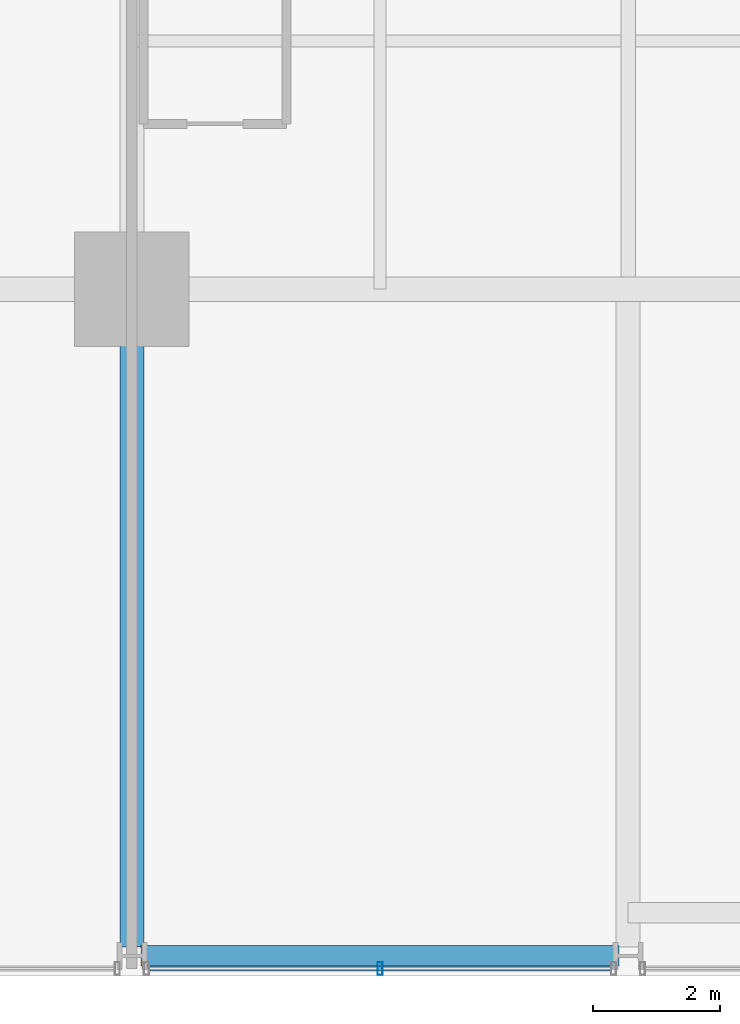
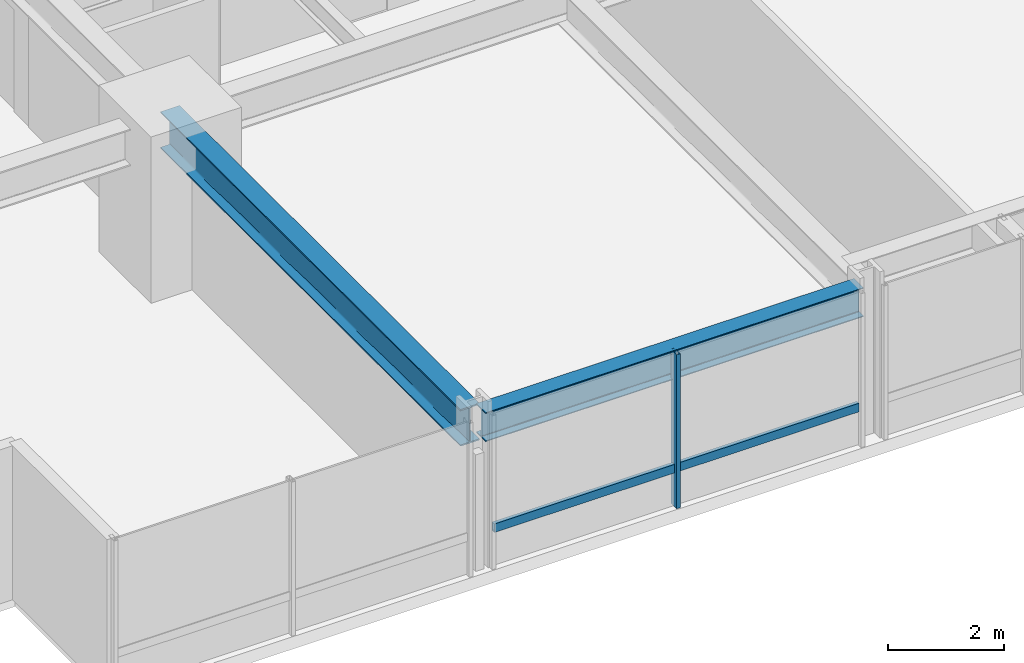
# One storey, part 3 of 38: 2 beams, 2 members, 1 element without a shape of its own.
"""IFC4 building model written with IfcOpenShell, lengths in metres."""

from ifc_helpers import new_model, si_unit, direction, frame, origin, origin_2d, place, context, subcontext, project, spatial, hollow_rectangle, i_section, extrude, material, layer, layer_set, material_profile, profile_set, type_object, element, aggregate, save


model = new_model("IFC4")

# Units and contexts
model_context = context("Model", 3, precision=1e-05, world=origin(), true_north=direction((0.0, 1.0)))
body_context = subcontext(model_context, "Body", "Model", "MODEL_VIEW")
ifc_project = project(units=[si_unit("LENGTHUNIT", "METRE"), si_unit("AREAUNIT", "SQUARE_METRE"), si_unit("VOLUMEUNIT", "CUBIC_METRE"), si_unit("PLANEANGLEUNIT", "RADIAN"), si_unit("MASSUNIT", "GRAM", prefix="KILO")], contexts=[model_context])

# Site, building, storey
site_placement = place(None, origin())
site = spatial("IfcSite", under=ifc_project, at=site_placement, CompositionType="ELEMENT")
building_placement = place(site_placement, origin())
building = spatial("IfcBuilding", under=site, at=building_placement, Name="Drelvath Grand Hotel", CompositionType="ELEMENT")
storey_placement = place(building_placement, frame((0.0, 0.0, 68.199951171875)))
storey = spatial("IfcBuildingStorey", under=building, at=storey_placement, Name="L16", CompositionType="ELEMENT", Elevation=68.199951171875)

# Curtain wall, members
ifc_material_1 = material(Name="Warm Bronze Anodised Aluminium Frame", Category="aluminium")
ifc_layer = layer(ifc_material_1, 0.199951171875)
ifc_layer_set = layer_set([ifc_layer], Name="Warm Bronze Anodised Aluminium Frame")
curtain_wall_type = type_object("IfcCurtainWallType", Name="Stick Curtain Wall CW-02 Warm Bronze Low-Rise", PredefinedType="NOTDEFINED", material=ifc_layer_set)
curtain_wall_placement = place(storey_placement, origin())
curtain_wall = element("IfcCurtainWall", 1, at=curtain_wall_placement, inside=storey, type_object=curtain_wall_type, Name="L16 CW-02 Curtain Wall CW02-L16-SW2", PredefinedType="NOTDEFINED")
ifc_material_profile_1 = material_profile(ifc_material_1, hollow_rectangle(XDim=0.074951171875, YDim=0.179931640625, WallThickness=0.0048828125, at=origin_2d()), Name="HSS180X75X5")
ifc_profile_set_1 = profile_set([ifc_material_profile_1], Name="Warm Bronze Anodised Aluminium Frame")
member_type_1 = type_object("IfcMemberType", Name="Curtain Wall Horizontal Transom CW-02 HSS180X75X5", PredefinedType="USERDEFINED", material=ifc_profile_set_1)
member_1_placement = place(storey_placement, frame((-8.669189453125, 0.1201171875, 0.81005859375), z_axis=(-1.0, 0.0, 0.0), x_axis=(0.0, -1.0, 0.0)))
member_1 = element("IfcMember", 2, at=member_1_placement, type_object=member_type_1, Name="CW02-L16-SW2 Sill Transom", ObjectType="TRANSOM", PredefinedType="USERDEFINED", context=body_context, shape_type="SweptSolid", body=[
    extrude(hollow_rectangle(XDim=0.074951171875, YDim=0.179931640625, WallThickness=0.0048828125, at=origin_2d()), origin(), (0.0, 0.0, 1.0), 7.26171875),
])
ifc_material_profile_2 = material_profile(ifc_material_1, hollow_rectangle(XDim=0.080078125, YDim=0.199951171875, WallThickness=0.0048828125, at=origin_2d()), Name="HSS200X80X5")
ifc_profile_set_2 = profile_set([ifc_material_profile_2], Name="Warm Bronze Anodised Aluminium Frame")
member_type_2 = type_object("IfcMemberType", Name="Curtain Wall Vertical Mullion CW-02 HSS200X80X5", PredefinedType="MULLION", material=ifc_profile_set_2)
member_2_placement = place(storey_placement, frame((-12.300048828125, 0.1201171875, 0.0), z_axis=(0.0, 0.0, 1.0), x_axis=(1.0, 0.0, 0.0)))
member_2 = element("IfcMember", 3, at=member_2_placement, type_object=member_type_2, Name="CW02-L16-SW2 Mullion 2", PredefinedType="MULLION", context=body_context, shape_type="SweptSolid", body=[
    extrude(hollow_rectangle(XDim=0.080078125, YDim=0.199951171875, WallThickness=0.0048828125, at=origin_2d()), origin(), (0.0, 0.0, 1.0), 3.239990234375),
])
aggregate(curtain_wall, [member_2, member_1])

# Beams
ifc_material_2 = material(Name="Steel ASTM A992 Gr 50", Category="steel")
ifc_material_profile_3 = material_profile(ifc_material_2, i_section(OverallWidth=0.323974609375, OverallDepth=0.611083984375, WebThickness=0.0126953125, FlangeThickness=0.01904296875, FilletRadius=0.02197265625, at=origin_2d()), Name="W24X104")
ifc_profile_set_3 = profile_set([ifc_material_profile_3], Name="Steel ASTM A992 Gr 50")
beam_type_1 = type_object("IfcBeamType", Name="Perimeter Spandrel Beam W24X104", PredefinedType="SPANDREL", material=ifc_profile_set_3)
beam_1_placement = place(storey_placement, frame((-16.06005859375, 0.320068359375, 2.9345703125), z_axis=(1.0, 0.0, 0.0), x_axis=(0.0, 1.0, 0.0)))
element("IfcBeam", 4, at=beam_1_placement, inside=storey, type_object=beam_type_1, Name="L16 Spandrel South W", PredefinedType="SPANDREL", context=body_context, shape_type="SweptSolid", body=[
    extrude(i_section(OverallWidth=0.323974609375, OverallDepth=0.611083984375, WebThickness=0.0126953125, FlangeThickness=0.01904296875, FilletRadius=0.02197265625, at=origin_2d()), origin(), (0.0, 0.0, 1.0), 7.52001953125),
])
ifc_material_profile_4 = material_profile(ifc_material_2, i_section(OverallWidth=0.380615234375, OverallDepth=0.773193359375, WebThickness=0.0166015625, FlangeThickness=0.027099609375, FilletRadius=0.02490234375, at=origin_2d()), Name="W30X173")
ifc_profile_set_4 = profile_set([ifc_material_profile_4], Name="Steel ASTM A992 Gr 50")
beam_type_2 = type_object("IfcBeamType", Name="Primary Floor Girder W30X173", PredefinedType="BEAM", material=ifc_profile_set_4)
beam_2_placement = place(storey_placement, frame((-16.199951171875, 0.4599609375, 2.853515625), z_axis=(0.0, 1.0, 0.0), x_axis=(-1.0, 0.0, 0.0)))
element("IfcBeam", 5, at=beam_2_placement, inside=storey, type_object=beam_type_2, Name="L16 South Grid Girder 3", PredefinedType="BEAM", context=body_context, shape_type="SweptSolid", body=[
    extrude(i_section(OverallWidth=0.380615234375, OverallDepth=0.773193359375, WebThickness=0.0166015625, FlangeThickness=0.027099609375, FilletRadius=0.02490234375, at=origin_2d()), origin(), (0.0, 0.0, 1.0), 10.340087890625),
])

save(model, "model.ifc")
